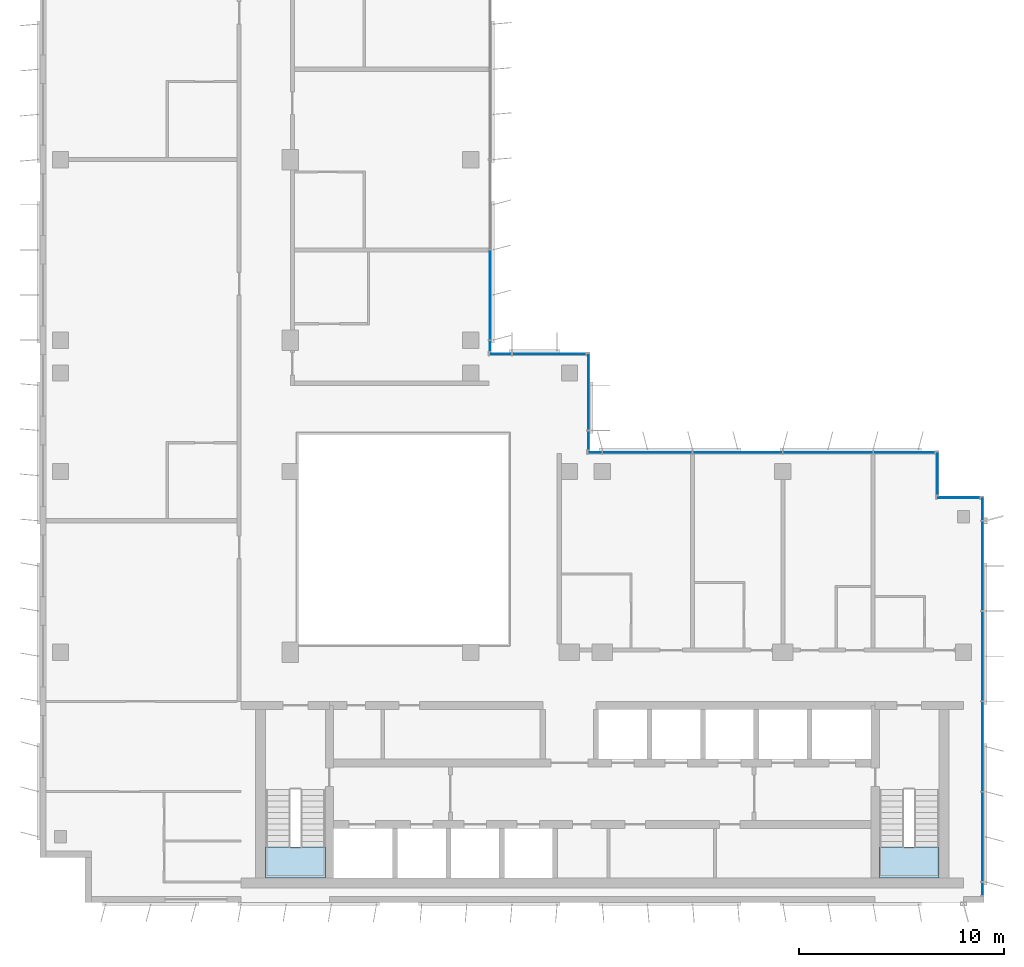
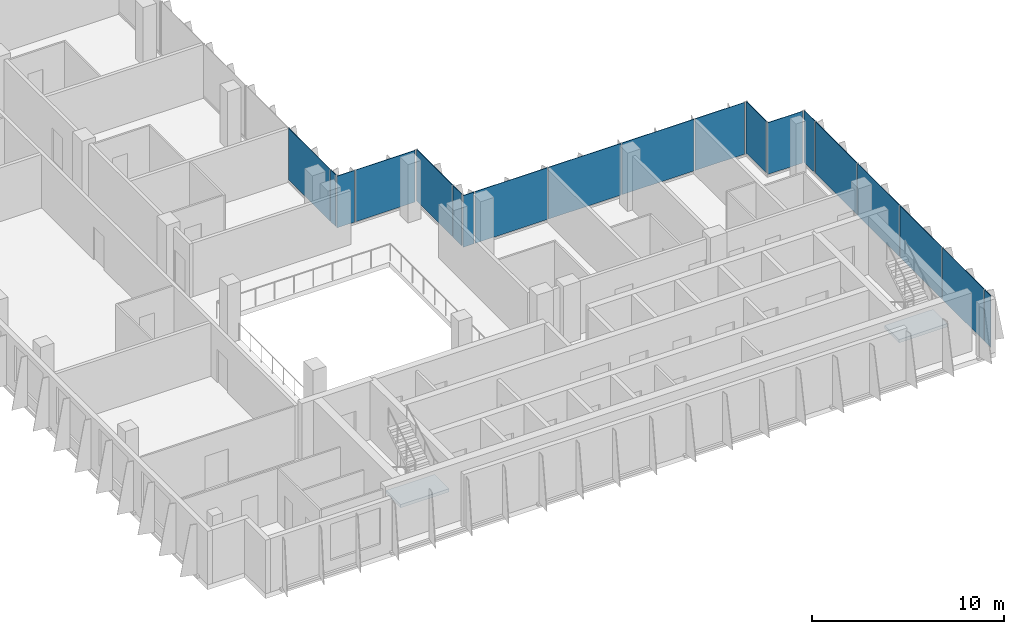
# One storey, part 7 of 15: 19 plates, 2 slabs, 9 elements without a shape of their own.
"""IFC4 building model written with IfcOpenShell, lengths in metres."""

import ifcopenshell
import ifcopenshell.guid

model = None  # the IFC model being written
_history = None  # IfcOwnerHistory: only IFC2X3 demands one
_inside = {}  # id of a spatial element -> (the spatial element, [elements in it])
_under = {}  # id of a project, library or spatial element -> (it, [spatial elements below it])
_declared = {}  # id of a project -> (the project, [libraries it declares])
_typed = {}  # id of a type object -> (the type object, [elements of that type])
_made_of = {}  # id of a material, layer set ... -> (it, [elements and type objects made of it])


def new_model(schema):
    """Start an empty IFC model of exactly this schema.

    Asked for "IFC4X3", IfcOpenShell would pick the latest addendum, in which some entities
    have other attributes; the version numbers below select the first issue.
    IFC2X3 requires an IfcOwnerHistory on every rooted entity: one is made here for all.
    """
    global model, _history
    if schema == "IFC4X3":
        model = ifcopenshell.file(schema_version=(4, 3, 0, 0))
    else:
        model = ifcopenshell.file(schema=schema)
    _inside.clear()
    _under.clear()
    _declared.clear()
    _typed.clear()
    _made_of.clear()
    _history = None
    if model.schema == "IFC2X3":
        org = make("IfcOrganization", Name="unknown")
        user = make(
            "IfcPersonAndOrganization",
            ThePerson=make("IfcPerson", FamilyName="unknown"),
            TheOrganization=org,
        )
        app = make(
            "IfcApplication",
            ApplicationDeveloper=org,
            Version="unknown",
            ApplicationFullName="unknown",
            ApplicationIdentifier="unknown",
        )
        _history = make(
            "IfcOwnerHistory",
            OwningUser=user,
            OwningApplication=app,
            ChangeAction="ADDED",
            CreationDate=0,
        )
    return model


def make(cls, **values):
    """One entity of the class cls with the attributes given. An attribute that is None is left unset."""
    return model.create_entity(
        cls, **{name: value for name, value in values.items() if value is not None}
    )


def rooted(cls, **values):
    """An entity with a GlobalId (a new one), such as an element, a storey or a relation."""
    return make(cls, GlobalId=ifcopenshell.guid.new(), OwnerHistory=_history, **values)


def si_unit(unit_type, name, prefix=None):
    """IfcSIUnit, for example si_unit("LENGTHUNIT", "METRE", prefix="MILLI")."""
    return make("IfcSIUnit", UnitType=unit_type, Prefix=prefix, Name=name)


def assignment(units):
    """IfcUnitAssignment: the units of a project."""
    return None if units is None else make("IfcUnitAssignment", Units=units)


def point(xyz):
    """IfcCartesianPoint."""
    return None if xyz is None else make("IfcCartesianPoint", Coordinates=xyz)


def direction(xyz):
    """IfcDirection."""
    return None if xyz is None else make("IfcDirection", DirectionRatios=xyz)


def frame(location, z_axis=None, x_axis=None):
    """IfcAxis2Placement3D, a coordinate frame: its origin and axes. An axis left out is left unset."""
    return make(
        "IfcAxis2Placement3D",
        Location=point(location),
        Axis=direction(z_axis),
        RefDirection=direction(x_axis),
    )


def frame_2d(location, x_axis=None):
    """IfcAxis2Placement2D, a coordinate frame in the plane: its origin and x axis."""
    return make(
        "IfcAxis2Placement2D", Location=point(location), RefDirection=direction(x_axis)
    )


def origin():
    """The frame at (0, 0, 0) with its axes left unset."""
    return frame((0.0, 0.0, 0.0))


def origin_2d():
    """The frame at (0, 0) in the plane with its x axis left unset."""
    return frame_2d((0.0, 0.0))


def place(relative_to, where):
    """IfcLocalPlacement: puts the frame where relative to a parent placement (None: the world)."""
    return make(
        "IfcLocalPlacement", PlacementRelTo=relative_to, RelativePlacement=where
    )


def context(
    kind, dimensions, precision=None, world=None, true_north=None, identifier=None
):
    """IfcGeometricRepresentationContext, for example the 3D "Model" context."""
    return make(
        "IfcGeometricRepresentationContext",
        ContextIdentifier=identifier,
        ContextType=kind,
        CoordinateSpaceDimension=dimensions,
        Precision=precision,
        WorldCoordinateSystem=world,
        TrueNorth=true_north,
    )


def subcontext(parent, identifier, kind, view, scale=None):
    """IfcGeometricRepresentationSubContext, for example "Body" below "Model"."""
    return make(
        "IfcGeometricRepresentationSubContext",
        ContextIdentifier=identifier,
        ContextType=kind,
        ParentContext=parent,
        TargetScale=scale,
        TargetView=view,
    )


def project(units=None, contexts=None):
    """IfcProject with its units and contexts."""
    return rooted(
        "IfcProject",
        Name="project",
        RepresentationContexts=contexts,
        UnitsInContext=assignment(units),
    )


def spatial(cls, under=None, at=None, **own):
    """A site, building, storey or space (cls), placed at a placement, below another one or the project."""
    s = rooted(cls, ObjectPlacement=at, **own)
    if under is not None:
        _under.setdefault(under.id(), (under, []))[1].append(s)
    return s


def polyline(points):
    """IfcPolyline through the points."""
    return make("IfcPolyline", Points=[point(p) for p in points])


def profile(cls, at=None, kind="AREA", **sizes):
    """A parametric profile (cls). Its sizes go by their IFC names, for example OverallWidth=200.0."""
    return make(cls, ProfileType=kind, Position=at, **sizes)


def rectangle(**sizes):
    """IfcRectangleProfileDef."""
    return profile("IfcRectangleProfileDef", **sizes)


def outline(outer, holes=None, kind="AREA"):
    """IfcArbitraryClosedProfileDef: a profile drawn as a closed curve; with holes, ...WithVoids."""
    if holes is None:
        return make("IfcArbitraryClosedProfileDef", ProfileType=kind, OuterCurve=outer)
    return make(
        "IfcArbitraryProfileDefWithVoids",
        ProfileType=kind,
        OuterCurve=outer,
        InnerCurves=holes,
    )


def extrude(swept, where, along, depth):
    """IfcExtrudedAreaSolid: the profile swept, set in the frame where, extruded along a direction by depth."""
    return make(
        "IfcExtrudedAreaSolid",
        SweptArea=swept,
        Position=where,
        ExtrudedDirection=direction(along),
        Depth=depth,
    )


def shape(context_of_items, identifier, shape_type, items):
    """IfcShapeRepresentation: the items that make up one representation, for example the "Body"."""
    return make(
        "IfcShapeRepresentation",
        ContextOfItems=context_of_items,
        RepresentationIdentifier=identifier,
        RepresentationType=shape_type,
        Items=items,
    )


def source(mapping_origin, context_of_items, identifier, shape_type, items):
    """IfcRepresentationMap: a shape defined once, which mapped items show again and again."""
    return make(
        "IfcRepresentationMap",
        MappingOrigin=mapping_origin,
        MappedRepresentation=shape(context_of_items, identifier, shape_type, items),
    )


def transform(
    local_origin,
    x_axis=None,
    y_axis=None,
    z_axis=None,
    scale=None,
    scale2=None,
    scale3=None,
    uniform=True,
):
    """IfcCartesianTransformationOperator3D, or its non-uniform kind. x_axis, y_axis, z_axis: its Axis1, 2, 3."""
    if uniform:
        return make(
            "IfcCartesianTransformationOperator3D",
            Axis1=direction(x_axis),
            Axis2=direction(y_axis),
            LocalOrigin=point(local_origin),
            Scale=scale,
            Axis3=direction(z_axis),
        )
    return make(
        "IfcCartesianTransformationOperator3DnonUniform",
        Axis1=direction(x_axis),
        Axis2=direction(y_axis),
        LocalOrigin=point(local_origin),
        Scale=scale,
        Axis3=direction(z_axis),
        Scale2=scale2,
        Scale3=scale3,
    )


def mapped(mapping_source, mapping_target):
    """IfcMappedItem: shows the shape of a source again, moved by a transform."""
    return make(
        "IfcMappedItem", MappingSource=mapping_source, MappingTarget=mapping_target
    )


def material(Name=None, Category=None):
    """IfcMaterial."""
    return make("IfcMaterial", Name=Name, Category=Category)


def layer(
    of_material, thickness, ventilated=None, Name=None, Category=None, Priority=None
):
    """IfcMaterialLayer: one layer of a wall or slab, of a material (None: an air gap)."""
    return make(
        "IfcMaterialLayer",
        Material=of_material,
        LayerThickness=thickness,
        IsVentilated=ventilated,
        Name=Name,
        Category=Category,
        Priority=Priority,
    )


def layer_set(layers, Name=None):
    """IfcMaterialLayerSet."""
    return make("IfcMaterialLayerSet", MaterialLayers=layers, LayerSetName=Name)


def made_of(thing, what):
    """Note that an element or type object is made of a material, layer set ...; save() writes the relation."""
    if what is not None:
        _made_of.setdefault(what.id(), (what, []))[1].append(thing)
    return thing


def type_object(cls, material=None, **own):
    """A type object (cls), such as IfcWallType, which elements share."""
    return made_of(rooted(cls, **own), material)


def element(
    cls,
    number,
    at=None,
    inside=None,
    cuts=None,
    type_object=None,
    material=None,
    context=None,
    identifier="Body",
    shape_type=None,
    held_by="IfcProductDefinitionShape",
    body=None,
    shapes=None,
    **own,
):
    """One element of the class cls, such as IfcWall. Its Tag is "e" and its number.

    at: its placement. inside: the storey or other place that contains it. cuts: it is an
    opening in that element (IfcRelVoidsElement). A single representation is given by context,
    identifier, shape_type and body (its items); several are given by shapes. held_by: the class
    of the entity that holds the representations. save() writes the other relations.
    """
    e = rooted(cls, Tag="e%d" % number, ObjectPlacement=at, **own)
    if body is not None:
        shapes = [shape(context, identifier, shape_type, body)]
    if shapes is not None:
        e.Representation = make(held_by, Representations=shapes)
    if inside is not None:
        _inside.setdefault(inside.id(), (inside, []))[1].append(e)
    if cuts is not None:
        rooted(
            "IfcRelVoidsElement", RelatingBuildingElement=cuts, RelatedOpeningElement=e
        )
    if type_object is not None:
        _typed.setdefault(type_object.id(), (type_object, []))[1].append(e)
    return made_of(e, material)


def aggregate(whole, parts):
    """IfcRelAggregates: a whole, such as a stair, and the parts it consists of."""
    return rooted("IfcRelAggregates", RelatingObject=whole, RelatedObjects=parts)


def save(model, path):
    """Write the relations noted so far, then the file.

    IfcRelAggregates (storeys below a building ...), IfcRelContainedInSpatialStructure (elements
    in a storey), IfcRelDefinesByType, IfcRelAssociatesMaterial and IfcRelDeclares: one each for
    every whole, place, type object, material and project.
    """
    for whole, parts in _under.values():
        aggregate(whole, parts)
    for where, things in _inside.values():
        rooted(
            "IfcRelContainedInSpatialStructure",
            RelatedElements=things,
            RelatingStructure=where,
        )
    for kind, things in _typed.values():
        rooted("IfcRelDefinesByType", RelatedObjects=things, RelatingType=kind)
    for what, things in _made_of.values():
        rooted("IfcRelAssociatesMaterial", RelatedObjects=things, RelatingMaterial=what)
    for by, libraries in _declared.values():
        rooted("IfcRelDeclares", RelatingContext=by, RelatedDefinitions=libraries)
    model.write(path)


model = new_model("IFC4")

# Units and contexts
model_context = context("Model", 3, precision=1e-05, world=origin(), true_north=direction((0.0, 1.0)))
body_context = subcontext(model_context, "Body", "Model", "MODEL_VIEW")
ifc_project = project(units=[si_unit("LENGTHUNIT", "METRE"), si_unit("AREAUNIT", "SQUARE_METRE"), si_unit("VOLUMEUNIT", "CUBIC_METRE"), si_unit("PLANEANGLEUNIT", "RADIAN"), si_unit("MASSUNIT", "GRAM", prefix="KILO")], contexts=[model_context])

# Site, building, storey
site_placement = place(None, origin())
site = spatial("IfcSite", under=ifc_project, at=site_placement, CompositionType="ELEMENT")
building_placement = place(site_placement, origin())
building = spatial("IfcBuilding", under=site, at=building_placement, Name="Kemantara Hotel Tower", CompositionType="ELEMENT")
storey_placement = place(building_placement, frame((0.0, 0.0, 290.699951171875)))
storey = spatial("IfcBuildingStorey", under=building, at=storey_placement, Name="L73", CompositionType="ELEMENT", Elevation=290.699951171875)

# Stair, slab
ifc_material_1 = material(Name="Concrete fc 40 MPa", Category="concrete")
stair_type = type_object("IfcStairType", Name="Stair 1200 wide 22 risers of 168 x 280 mm", PredefinedType="HALF_TURN_STAIR", material=ifc_material_1)
stair_1_placement = place(storey_placement, origin())
stair_1 = element("IfcStair", 1, at=stair_1_placement, inside=storey, type_object=stair_type, Name="L73 Exit stair ST1", PredefinedType="HALF_TURN_STAIR")
ifc_layer_1 = layer(ifc_material_1, 0.199951171875)
ifc_layer_set_1 = layer_set([ifc_layer_1], Name="Concrete fc 40 MPa")
slab_type = type_object("IfcSlabType", Name="Stair landing 200 mm", PredefinedType="LANDING", material=ifc_layer_set_1)
slab_1_placement = place(storey_placement, frame((0.0, 0.0, 1.650146484375)))
slab_1 = element("IfcSlab", 2, at=slab_1_placement, type_object=slab_type, Name="ST1 landing 1", PredefinedType="LANDING", context=body_context, shape_type="SweptSolid", body=[
    extrude(outline(polyline([(11.0, 2.699951171875), (11.0, 1.199951171875), (13.89990234375, 1.199951171875), (13.89990234375, 2.699951171875), (11.0, 2.699951171875)])), origin(), (0.0, 0.0, 1.0), 0.199951171875),
])
aggregate(stair_1, [slab_1])

stair_2_placement = place(storey_placement, origin())
stair_2 = element("IfcStair", 3, at=stair_2_placement, inside=storey, type_object=stair_type, Name="L73 Exit stair ST2", PredefinedType="HALF_TURN_STAIR")
slab_2_placement = place(storey_placement, frame((0.0, 0.0, 1.650146484375)))
slab_2 = element("IfcSlab", 4, at=slab_2_placement, type_object=slab_type, Name="ST2 landing 1", PredefinedType="LANDING", context=body_context, shape_type="SweptSolid", body=[
    extrude(outline(polyline([(40.89990234375, 2.699951171875), (40.89990234375, 1.199951171875), (43.800048828125, 1.199951171875), (43.800048828125, 2.699951171875), (40.89990234375, 2.699951171875)])), origin(), (0.0, 0.0, 1.0), 0.199951171875),
])
aggregate(stair_2, [slab_2])

# Curtain wall, plates
ifc_material_2 = material(Name="Low-E tinted double insulated glass 36 mm", Category="glass")
curtain_wall_type = type_object("IfcCurtainWallType", Name="TOWER CURTAIN WALL, FRONT FACES", PredefinedType="USERDEFINED", material=ifc_material_2)
curtain_wall_1_placement = place(storey_placement, origin())
curtain_wall_1 = element("IfcCurtainWall", 5, at=curtain_wall_1_placement, inside=storey, type_object=curtain_wall_type, Name="CW4 L73 T4-R09-1", ObjectType="TOWER CURTAIN WALL, FRONT FACES", PredefinedType="USERDEFINED")
ifc_layer_2 = layer(ifc_material_2, 0.035888671875)
ifc_layer_set_2 = layer_set([ifc_layer_2], Name="Low-E tinted double insulated glass 36 mm")
plate_type = type_object("IfcPlateType", Name="TOWER CURTAIN WALL, FRONT FACES PANEL", PredefinedType="CURTAIN_PANEL", material=ifc_layer_set_2)
shared_shape_1 = source(origin(), body_context, "Body", "SweptSolid", [
    extrude(rectangle(XDim=4.340087890625, YDim=0.035888671875, at=origin_2d()), origin(), (0.0, 0.0, 1.0), 3.280029296875),
])
plate_1_placement = place(storey_placement, frame((45.925048828125, 3.199951171875, 0.1201171875), z_axis=(0.0, 0.0, 1.0), x_axis=(0.0, 1.0, 0.0)))
plate_1 = element("IfcPlate", 6, at=plate_1_placement, type_object=plate_type, Name="CW4 glass panel T4-R09-1.2", PredefinedType="CURTAIN_PANEL", context=body_context, shape_type="MappedRepresentation", body=[
    mapped(shared_shape_1, transform((0.0, 0.0, 0.0))),
])
plate_2_placement = place(storey_placement, frame((45.925048828125, 7.60009765625, 0.1201171875), z_axis=(0.0, 0.0, 1.0), x_axis=(0.0, 1.0, 0.0)))
plate_2 = element("IfcPlate", 7, at=plate_2_placement, type_object=plate_type, Name="CW4 glass panel T4-R09-1.3", PredefinedType="CURTAIN_PANEL", context=body_context, shape_type="MappedRepresentation", body=[
    mapped(shared_shape_1, transform((0.0, 0.0, 0.0))),
])
plate_3_placement = place(storey_placement, frame((45.925048828125, 12.0, 0.1201171875), z_axis=(0.0, 0.0, 1.0), x_axis=(0.0, 1.0, 0.0)))
plate_3 = element("IfcPlate", 8, at=plate_3_placement, type_object=plate_type, Name="CW4 glass panel T4-R09-1.4", PredefinedType="CURTAIN_PANEL", context=body_context, shape_type="MappedRepresentation", body=[
    mapped(shared_shape_1, transform((0.0, 0.0, 0.0))),
])
plate_4_placement = place(storey_placement, frame((45.925048828125, 16.39990234375, 0.1201171875), z_axis=(0.0, 0.0, 1.0), x_axis=(0.0, 1.0, 0.0)))
plate_4 = element("IfcPlate", 9, at=plate_4_placement, type_object=plate_type, Name="CW4 glass panel T4-R09-1.5", PredefinedType="CURTAIN_PANEL", context=body_context, shape_type="MappedRepresentation", body=[
    mapped(shared_shape_1, transform((0.0, 0.0, 0.0))),
])

curtain_wall_2_placement = place(storey_placement, origin())
curtain_wall_2 = element("IfcCurtainWall", 10, at=curtain_wall_2_placement, inside=storey, type_object=curtain_wall_type, Name="CW4 L73 T4-R12-1", ObjectType="TOWER CURTAIN WALL, FRONT FACES", PredefinedType="USERDEFINED")
plate_5_placement = place(storey_placement, frame((38.39990234375, 21.925048828125, 0.1201171875), z_axis=(0.0, 0.0, 1.0), x_axis=(-1.0, 0.0, 0.0)))
plate_5 = element("IfcPlate", 11, at=plate_5_placement, type_object=plate_type, Name="CW4 glass panel T4-R12-1.2", PredefinedType="CURTAIN_PANEL", context=body_context, shape_type="MappedRepresentation", body=[
    mapped(shared_shape_1, transform((0.0, 0.0, 0.0))),
])
plate_6_placement = place(storey_placement, frame((34.0, 21.925048828125, 0.1201171875), z_axis=(0.0, 0.0, 1.0), x_axis=(-1.0, 0.0, 0.0)))
plate_6 = element("IfcPlate", 12, at=plate_6_placement, type_object=plate_type, Name="CW4 glass panel T4-R12-1.3", PredefinedType="CURTAIN_PANEL", context=body_context, shape_type="MappedRepresentation", body=[
    mapped(shared_shape_1, transform((0.0, 0.0, 0.0))),
])
plate_7_placement = place(storey_placement, frame((29.60009765625, 21.925048828125, 0.1201171875), z_axis=(0.0, 0.0, 1.0), x_axis=(-1.0, 0.0, 0.0)))
plate_7 = element("IfcPlate", 13, at=plate_7_placement, type_object=plate_type, Name="CW4 glass panel T4-R12-1.4", PredefinedType="CURTAIN_PANEL", context=body_context, shape_type="MappedRepresentation", body=[
    mapped(shared_shape_1, transform((0.0, 0.0, 0.0))),
])

# Curtain wall, plate
curtain_wall_3_placement = place(storey_placement, origin())
curtain_wall_3 = element("IfcCurtainWall", 14, at=curtain_wall_3_placement, inside=storey, type_object=curtain_wall_type, Name="CW4 L73 T4-R15-1", ObjectType="TOWER CURTAIN WALL, FRONT FACES", PredefinedType="USERDEFINED")
plate_8_placement = place(storey_placement, frame((21.925048828125, 29.60009765625, 0.1201171875), z_axis=(0.0, 0.0, 1.0), x_axis=(0.0, 1.0, 0.0)))
plate_8 = element("IfcPlate", 15, at=plate_8_placement, type_object=plate_type, Name="CW4 glass panel T4-R15-1.2", PredefinedType="CURTAIN_PANEL", context=body_context, shape_type="MappedRepresentation", body=[
    mapped(shared_shape_1, transform((0.0, 0.0, 0.0))),
])

curtain_wall_4_placement = place(storey_placement, origin())
curtain_wall_4 = element("IfcCurtainWall", 16, at=curtain_wall_4_placement, inside=storey, type_object=curtain_wall_type, Name="CW4 L73 T4-R10-1", ObjectType="TOWER CURTAIN WALL, FRONT FACES", PredefinedType="USERDEFINED")
shared_shape_2 = source(origin(), body_context, "Body", "SweptSolid", [
    extrude(rectangle(XDim=2.080078125, YDim=0.035888671875, at=origin_2d()), origin(), (0.0, 0.0, 1.0), 3.280029296875),
])
plate_9_placement = place(storey_placement, frame((44.75, 19.72509765625, 0.1201171875), z_axis=(0.0, 0.0, 1.0), x_axis=(-1.0, 0.0, 0.0)))
plate_9 = element("IfcPlate", 17, at=plate_9_placement, type_object=plate_type, Name="CW4 glass panel T4-R10-1.1", PredefinedType="CURTAIN_PANEL", context=body_context, shape_type="MappedRepresentation", body=[
    mapped(shared_shape_2, transform((0.0, 0.0, 0.0))),
])
aggregate(curtain_wall_4, [plate_9])

curtain_wall_5_placement = place(storey_placement, origin())
curtain_wall_5 = element("IfcCurtainWall", 18, at=curtain_wall_5_placement, inside=storey, type_object=curtain_wall_type, Name="CW4 L73 T4-R11-1", ObjectType="TOWER CURTAIN WALL, FRONT FACES", PredefinedType="USERDEFINED")
plate_10_placement = place(storey_placement, frame((43.72509765625, 20.89990234375, 0.1201171875), z_axis=(0.0, 0.0, 1.0), x_axis=(0.0, 1.0, 0.0)))
plate_10 = element("IfcPlate", 19, at=plate_10_placement, type_object=plate_type, Name="CW4 glass panel T4-R11-1.1", PredefinedType="CURTAIN_PANEL", context=body_context, shape_type="MappedRepresentation", body=[
    mapped(shared_shape_2, transform((0.0, 0.0, 0.0))),
])
aggregate(curtain_wall_5, [plate_10])

# Plate
shared_shape_3 = source(origin(), body_context, "Body", "SweptSolid", [
    extrude(rectangle(XDim=2.9599609375, YDim=0.035888671875, at=origin_2d()), origin(), (0.0, 0.0, 1.0), 3.280029296875),
])
plate_11_placement = place(storey_placement, frame((42.110107421875, 21.925048828125, 0.1201171875), z_axis=(0.0, 0.0, 1.0), x_axis=(-1.0, 0.0, 0.0)))
plate_11 = element("IfcPlate", 20, at=plate_11_placement, type_object=plate_type, Name="CW4 glass panel T4-R12-1.1", PredefinedType="CURTAIN_PANEL", context=body_context, shape_type="MappedRepresentation", body=[
    mapped(shared_shape_3, transform((0.0, 0.0, 0.0))),
])

shared_shape_4 = source(origin(), body_context, "Body", "SweptSolid", [
    extrude(rectangle(XDim=0.659912109375, YDim=0.035888671875, at=origin_2d()), origin(), (0.0, 0.0, 1.0), 3.280029296875),
])
plate_12_placement = place(storey_placement, frame((27.0400390625, 21.925048828125, 0.1201171875), z_axis=(0.0, 0.0, 1.0), x_axis=(-1.0, 0.0, 0.0)))
plate_12 = element("IfcPlate", 21, at=plate_12_placement, type_object=plate_type, Name="CW4 glass panel T4-R12-1.5", PredefinedType="CURTAIN_PANEL", context=body_context, shape_type="MappedRepresentation", body=[
    mapped(shared_shape_4, transform((0.0, 0.0, 0.0))),
])

aggregate(curtain_wall_2, [plate_11, plate_5, plate_6, plate_7, plate_12])

shared_shape_5 = source(origin(), body_context, "Body", "SweptSolid", [
    extrude(rectangle(XDim=0.510009765625, YDim=0.035888671875, at=origin_2d()), origin(), (0.0, 0.0, 1.0), 3.280029296875),
])
plate_13_placement = place(storey_placement, frame((21.925048828125, 27.114990234375, 0.1201171875), z_axis=(0.0, 0.0, 1.0), x_axis=(0.0, 1.0, 0.0)))
plate_13 = element("IfcPlate", 22, at=plate_13_placement, type_object=plate_type, Name="CW4 glass panel T4-R15-1.1", PredefinedType="CURTAIN_PANEL", context=body_context, shape_type="MappedRepresentation", body=[
    mapped(shared_shape_5, transform((0.0, 0.0, 0.0))),
])

aggregate(curtain_wall_3, [plate_13, plate_8])

# Curtain wall, plate
curtain_wall_6_placement = place(storey_placement, origin())
curtain_wall_6 = element("IfcCurtainWall", 23, at=curtain_wall_6_placement, inside=storey, type_object=curtain_wall_type, Name="CW4 L73 T4-R13-1", ObjectType="TOWER CURTAIN WALL, FRONT FACES", PredefinedType="USERDEFINED")
shared_shape_6 = source(origin(), body_context, "Body", "SweptSolid", [
    extrude(rectangle(XDim=0.909912109375, YDim=0.035888671875, at=origin_2d()), origin(), (0.0, 0.0, 1.0), 3.280029296875),
])
plate_14_placement = place(storey_placement, frame((26.72509765625, 22.514892578125, 0.1201171875), z_axis=(0.0, 0.0, 1.0), x_axis=(0.0, 1.0, 0.0)))
plate_14 = element("IfcPlate", 24, at=plate_14_placement, type_object=plate_type, Name="CW4 glass panel T4-R13-1.1", PredefinedType="CURTAIN_PANEL", context=body_context, shape_type="MappedRepresentation", body=[
    mapped(shared_shape_6, transform((0.0, 0.0, 0.0))),
])

# Plate
shared_shape_7 = source(origin(), body_context, "Body", "SweptSolid", [
    extrude(rectangle(XDim=1.110107421875, YDim=0.035888671875, at=origin_2d()), origin(), (0.0, 0.0, 1.0), 3.280029296875),
])
plate_15_placement = place(storey_placement, frame((45.925048828125, 19.18505859375, 0.1201171875), z_axis=(0.0, 0.0, 1.0), x_axis=(0.0, 1.0, 0.0)))
plate_15 = element("IfcPlate", 25, at=plate_15_placement, type_object=plate_type, Name="CW4 glass panel T4-R09-1.6", PredefinedType="CURTAIN_PANEL", context=body_context, shape_type="MappedRepresentation", body=[
    mapped(shared_shape_7, transform((0.0, 0.0, 0.0))),
])

shared_shape_8 = source(origin(), body_context, "Body", "SweptSolid", [
    extrude(rectangle(XDim=3.7099609375, YDim=0.035888671875, at=origin_2d()), origin(), (0.0, 0.0, 1.0), 3.280029296875),
])
plate_16_placement = place(storey_placement, frame((26.72509765625, 24.885009765625, 0.1201171875), z_axis=(0.0, 0.0, 1.0), x_axis=(0.0, 1.0, 0.0)))
plate_16 = element("IfcPlate", 26, at=plate_16_placement, type_object=plate_type, Name="CW4 glass panel T4-R13-1.2", PredefinedType="CURTAIN_PANEL", context=body_context, shape_type="MappedRepresentation", body=[
    mapped(shared_shape_8, transform((0.0, 0.0, 0.0))),
])

aggregate(curtain_wall_6, [plate_14, plate_16])

# Curtain wall, plates
curtain_wall_7_placement = place(storey_placement, origin())
curtain_wall_7 = element("IfcCurtainWall", 27, at=curtain_wall_7_placement, inside=storey, type_object=curtain_wall_type, Name="CW4 L73 T4-R14-1", ObjectType="TOWER CURTAIN WALL, FRONT FACES", PredefinedType="USERDEFINED")
shared_shape_9 = source(origin(), body_context, "Body", "SweptSolid", [
    extrude(rectangle(XDim=3.56005859375, YDim=0.035888671875, at=origin_2d()), origin(), (0.0, 0.0, 1.0), 3.280029296875),
])
plate_17_placement = place(storey_placement, frame((24.81005859375, 26.72509765625, 0.1201171875), z_axis=(0.0, 0.0, 1.0), x_axis=(-1.0, 0.0, 0.0)))
plate_17 = element("IfcPlate", 28, at=plate_17_placement, type_object=plate_type, Name="CW4 glass panel T4-R14-1.1", PredefinedType="CURTAIN_PANEL", context=body_context, shape_type="MappedRepresentation", body=[
    mapped(shared_shape_9, transform((0.0, 0.0, 0.0))),
])
shared_shape_10 = source(origin(), body_context, "Body", "SweptSolid", [
    extrude(rectangle(XDim=1.06005859375, YDim=0.035888671875, at=origin_2d()), origin(), (0.0, 0.0, 1.0), 3.280029296875),
])
plate_18_placement = place(storey_placement, frame((22.43994140625, 26.72509765625, 0.1201171875), z_axis=(0.0, 0.0, 1.0), x_axis=(-1.0, 0.0, 0.0)))
plate_18 = element("IfcPlate", 29, at=plate_18_placement, type_object=plate_type, Name="CW4 glass panel T4-R14-1.2", PredefinedType="CURTAIN_PANEL", context=body_context, shape_type="MappedRepresentation", body=[
    mapped(shared_shape_10, transform((0.0, 0.0, 0.0))),
])
aggregate(curtain_wall_7, [plate_17, plate_18])

# Plate
shared_shape_11 = source(origin(), body_context, "Body", "SweptSolid", [
    extrude(rectangle(XDim=0.610107421875, YDim=0.035888671875, at=origin_2d()), origin(), (0.0, 0.0, 1.0), 3.280029296875),
])
plate_19_placement = place(storey_placement, frame((45.925048828125, 0.6650390625, 0.1201171875), z_axis=(0.0, 0.0, 1.0), x_axis=(0.0, 1.0, 0.0)))
plate_19 = element("IfcPlate", 30, at=plate_19_placement, type_object=plate_type, Name="CW4 glass panel T4-R09-1.1", PredefinedType="CURTAIN_PANEL", context=body_context, shape_type="MappedRepresentation", body=[
    mapped(shared_shape_11, transform((0.0, 0.0, 0.0))),
])

aggregate(curtain_wall_1, [plate_19, plate_1, plate_2, plate_3, plate_4, plate_15])

save(model, "model.ifc")
